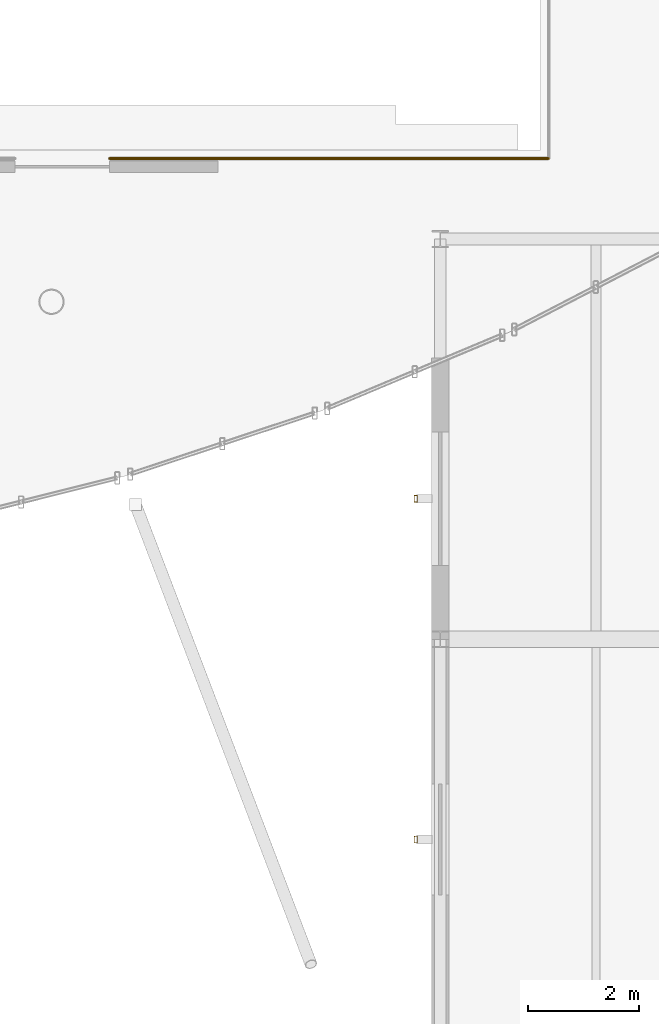
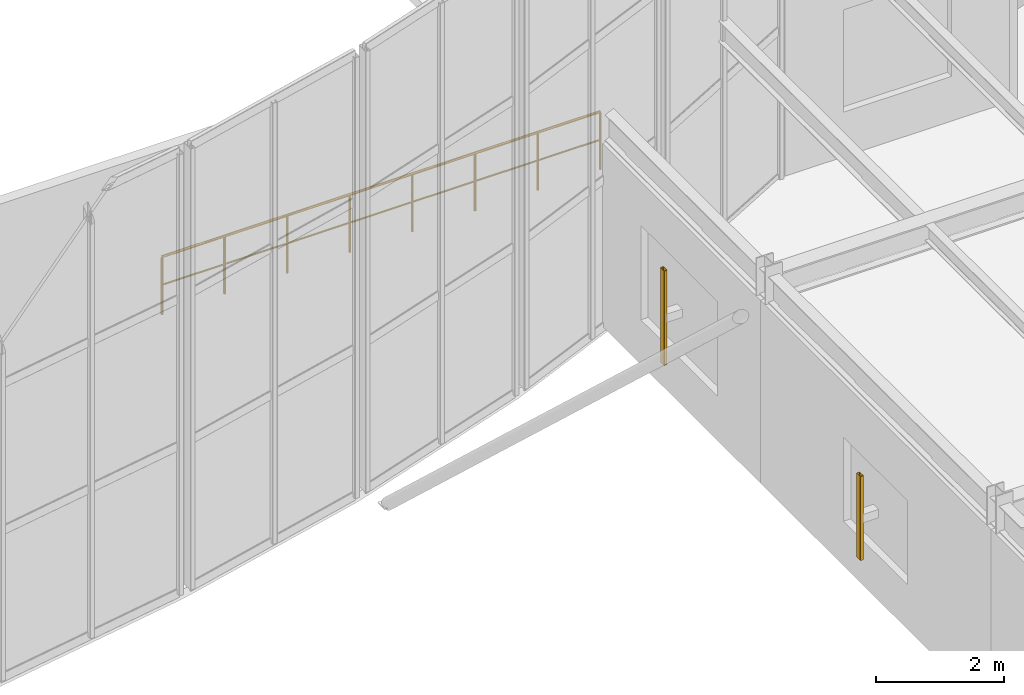
# One storey, part 81 of 109: 2 shading devices, 1 railing.
"""IFC4 building model written with IfcOpenShell, lengths in metres."""

from ifc_helpers import new_model, si_unit, derived_unit, direction, frame, origin, origin_2d, place, context, subcontext, project, spatial, hollow_rectangle, circle, extrude, material, material_profile, profile_set, type_object, element, save


model = new_model("IFC4")

# Units and contexts
model_context = context("Model", 3, precision=1e-05, world=origin(), true_north=direction((0.0, 1.0)))
body_context = subcontext(model_context, "Body", "Model", "MODEL_VIEW")
ifc_project = project(units=[si_unit("LENGTHUNIT", "METRE"), si_unit("AREAUNIT", "SQUARE_METRE"), si_unit("VOLUMEUNIT", "CUBIC_METRE"), si_unit("PLANEANGLEUNIT", "RADIAN"), si_unit("MASSUNIT", "GRAM", prefix="KILO"), derived_unit("THERMALTRANSMITTANCEUNIT", [(si_unit("MASSUNIT", "GRAM", prefix="KILO"), 1), (si_unit("TIMEUNIT", "SECOND"), -3), (si_unit("THERMODYNAMICTEMPERATUREUNIT", "KELVIN"), -1)])], contexts=[model_context])

# Site, building, storey
site_placement = place(None, origin())
site = spatial("IfcSite", under=ifc_project, at=site_placement, CompositionType="ELEMENT")
building_placement = place(site_placement, origin())
building = spatial("IfcBuilding", under=site, at=building_placement, Name="Kharveza Railside Sports Centre", CompositionType="ELEMENT")
storey_placement = place(building_placement, frame((0.0, 0.0, 4.5)))
storey = spatial("IfcBuildingStorey", under=building, at=storey_placement, Name="L01", CompositionType="ELEMENT", Elevation=4.5)

# Railing
ifc_material_1 = material(Name="Steel S275JR", Category="steel")
railing_type = type_object("IfcRailingType", Name="RL-GD110", PredefinedType="GUARDRAIL", material=ifc_material_1)
railing_placement = place(storey_placement, frame((69.64990234375, 30.25, 0.0)))
element("IfcRailing", 1, at=railing_placement, inside=storey, type_object=railing_type, Name="RL-BOWL-RS-4", PredefinedType="GUARDRAIL", context=body_context, shape_type="SweptSolid", body=[
    extrude(circle(Radius=0.02392578125, at=origin_2d()), frame((0.0, 0.0, 1.09619140625), z_axis=(1.0, 0.0, 0.0), x_axis=(0.0, 1.0, 0.0)), (0.0, 0.0, 1.0), 7.900146484375),
    extrude(circle(Radius=0.01611328125, at=origin_2d()), frame((0.0, 0.0, 0.56005859375), z_axis=(1.0, 0.0, 0.0), x_axis=(0.0, 1.0, 0.0)), (0.0, 0.0, 1.0), 7.900146484375),
    extrude(circle(Radius=0.02099609375, at=origin_2d()), origin(), (0.0, 0.0, 1.0), 1.072021484375),
    extrude(circle(Radius=0.02099609375, at=origin_2d()), frame((1.128662109375, 0.0, 0.0)), (0.0, 0.0, 1.0), 1.072021484375),
    extrude(circle(Radius=0.02099609375, at=origin_2d()), frame((2.257080078125, 0.0, 0.0)), (0.0, 0.0, 1.0), 1.072021484375),
    extrude(circle(Radius=0.02099609375, at=origin_2d()), frame((3.3857421875, 0.0, 0.0)), (0.0, 0.0, 1.0), 1.072021484375),
    extrude(circle(Radius=0.02099609375, at=origin_2d()), frame((4.514404296875, 0.0, 0.0)), (0.0, 0.0, 1.0), 1.072021484375),
    extrude(circle(Radius=0.02099609375, at=origin_2d()), frame((5.64306640625, 0.0, 0.0)), (0.0, 0.0, 1.0), 1.072021484375),
    extrude(circle(Radius=0.02099609375, at=origin_2d()), frame((6.771484375, 0.0, 0.0)), (0.0, 0.0, 1.0), 1.072021484375),
    extrude(circle(Radius=0.02099609375, at=origin_2d()), frame((7.900146484375, 0.0, 0.0)), (0.0, 0.0, 1.0), 1.072021484375),
])

# Shading devices
ifc_material_2 = material(Name="Anodised aluminium 6063-T6", Category="aluminium")
ifc_material_profile = material_profile(ifc_material_2, hollow_rectangle(XDim=0.06005859375, YDim=0.1201171875, WallThickness=0.0048828125, InnerFilletRadius=0.0048828125, OuterFilletRadius=0.010009765625, at=origin_2d()), Name="RHS 60x120x5.0")
ifc_profile_set = profile_set([ifc_material_profile], Name="Anodised aluminium 6063-T6")
shading_device_type = type_object("IfcShadingDeviceType", Name="SD-LV01", PredefinedType="JALOUSIE", material=ifc_profile_set)
shading_device_1_placement = place(storey_placement, frame((75.159912109375, 24.129638671875, 0.85009765625), z_axis=(0.0, 0.0, 1.0), x_axis=(-1.0, 0.0, 0.0)))
element("IfcShadingDevice", 2, at=shading_device_1_placement, inside=storey, type_object=shading_device_type, Name="SD-FIN-027", PredefinedType="JALOUSIE", context=body_context, shape_type="SweptSolid", body=[
    extrude(hollow_rectangle(XDim=0.06005859375, YDim=0.1201171875, WallThickness=0.0048828125, InnerFilletRadius=0.0048828125, OuterFilletRadius=0.010009765625, at=origin_2d()), origin(), (0.0, 0.0, 1.0), 1.7998046875),
])
shading_device_2_placement = place(storey_placement, frame((75.159912109375, 18.0, 0.85009765625), z_axis=(0.0, 0.0, 1.0), x_axis=(-1.0, 0.0, 0.0)))
element("IfcShadingDevice", 3, at=shading_device_2_placement, inside=storey, type_object=shading_device_type, Name="SD-FIN-028", PredefinedType="JALOUSIE", context=body_context, shape_type="SweptSolid", body=[
    extrude(hollow_rectangle(XDim=0.06005859375, YDim=0.1201171875, WallThickness=0.0048828125, InnerFilletRadius=0.0048828125, OuterFilletRadius=0.010009765625, at=origin_2d()), origin(), (0.0, 0.0, 1.0), 1.599853515625),
])

save(model, "model.ifc")
